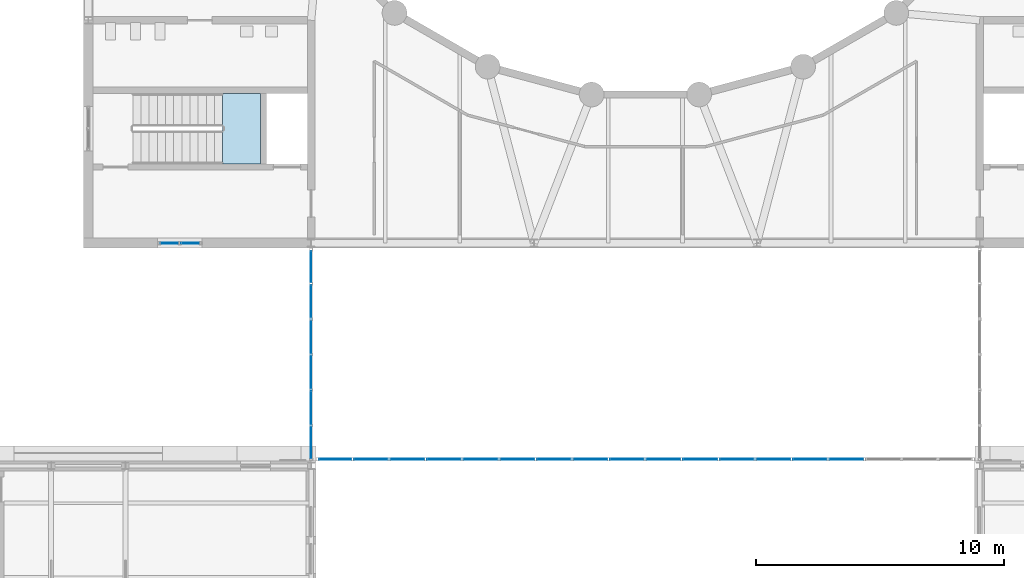
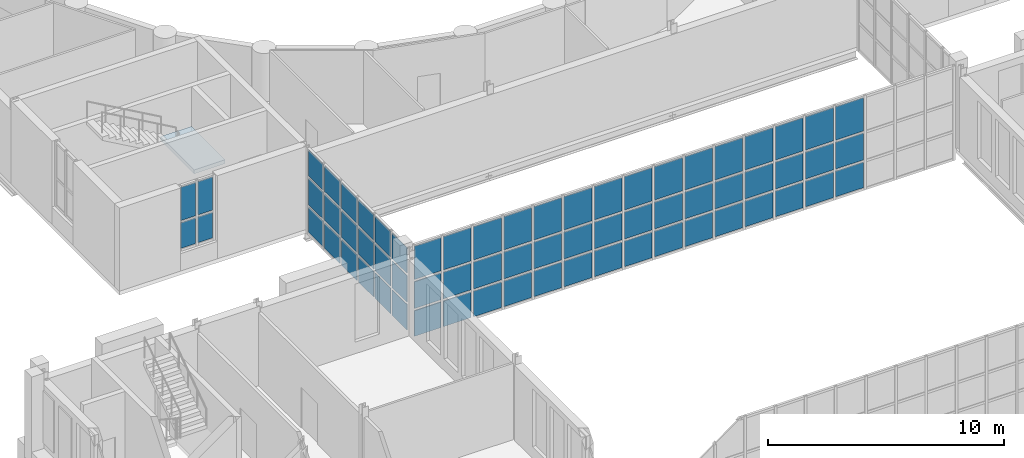
# One storey, part 64 of 134: 67 plates, 1 slab, 4 elements without a shape of their own.
"""IFC4 building model written with IfcOpenShell, lengths in metres."""

from ifc_helpers import new_model, si_unit, direction, frame, origin, origin_2d, place, context, subcontext, project, spatial, polyline, rectangle, outline, extrude, material, layer, layer_set, type_object, element, aggregate, save


model = new_model("IFC4")

# Units and contexts
model_context = context("Model", 3, precision=1e-05, world=origin(), true_north=direction((0.0, 1.0)))
body_context = subcontext(model_context, "Body", "Model", "MODEL_VIEW")
ifc_project = project(units=[si_unit("LENGTHUNIT", "METRE"), si_unit("AREAUNIT", "SQUARE_METRE"), si_unit("VOLUMEUNIT", "CUBIC_METRE"), si_unit("PLANEANGLEUNIT", "RADIAN"), si_unit("MASSUNIT", "GRAM", prefix="KILO")], contexts=[model_context])

# Site, building, storey
site_placement = place(None, origin())
site = spatial("IfcSite", under=ifc_project, at=site_placement, CompositionType="ELEMENT")
building_placement = place(site_placement, origin())
building = spatial("IfcBuilding", under=site, at=building_placement, Name="Golden Quay Civic Hall", CompositionType="ELEMENT")
storey_placement = place(building_placement, frame((0.0, 0.0, 5.39990234375)))
storey = spatial("IfcBuildingStorey", under=building, at=storey_placement, Name="L01", CompositionType="ELEMENT", Elevation=5.39990234375)

# Curtain wall, plates
ifc_material_1 = material(Name="Fire-resisting glass and steel", Category="steel")
curtain_wall_type_1 = type_object("IfcCurtainWallType", Name="Fire-resisting glazed curtain wall EI 120", PredefinedType="NOTDEFINED", material=ifc_material_1)
curtain_wall_1_placement = place(storey_placement, origin())
curtain_wall_1 = element("IfcCurtainWall", 1, at=curtain_wall_1_placement, inside=storey, type_object=curtain_wall_type_1, Name="CW3 curtain wall", PredefinedType="NOTDEFINED")
ifc_material_2 = material(Name="Fire-resisting laminated glass", Category="glass")
ifc_layer_1 = layer(ifc_material_2, 0.0400390625)
ifc_layer_set_1 = layer_set([ifc_layer_1], Name="Fire-resisting glazed panel 40")
plate_type_1 = type_object("IfcPlateType", Name="Fire-resisting glazed panel 40", PredefinedType="CURTAIN_PANEL", material=ifc_layer_set_1)
plate_1_placement = place(storey_placement, frame((72.968994140625, 54.27001953125, -0.47998046875), z_axis=(0.0, 0.0, 1.0), x_axis=(1.0, 0.0, 0.0)))
plate_1 = element("IfcPlate", 2, at=plate_1_placement, type_object=plate_type_1, Name="CW3 panel 1.1", PredefinedType="CURTAIN_PANEL", context=body_context, shape_type="SweptSolid", body=[
    extrude(rectangle(XDim=1.2978515625, YDim=0.0400390625, at=origin_2d()), origin(), (0.0, 0.0, 1.0), 1.320068359375),
])
plate_2_placement = place(storey_placement, frame((72.968994140625, 54.27001953125, 0.960205078125), z_axis=(0.0, 0.0, 1.0), x_axis=(1.0, 0.0, 0.0)))
plate_2 = element("IfcPlate", 3, at=plate_2_placement, type_object=plate_type_1, Name="CW3 panel 1.2", PredefinedType="CURTAIN_PANEL", context=body_context, shape_type="SweptSolid", body=[
    extrude(rectangle(XDim=1.2978515625, YDim=0.0400390625, at=origin_2d()), origin(), (0.0, 0.0, 1.0), 1.3798828125),
])
plate_3_placement = place(storey_placement, frame((72.968994140625, 54.27001953125, 2.4599609375), z_axis=(0.0, 0.0, 1.0), x_axis=(1.0, 0.0, 0.0)))
plate_3 = element("IfcPlate", 4, at=plate_3_placement, type_object=plate_type_1, Name="CW3 panel 1.3", PredefinedType="CURTAIN_PANEL", context=body_context, shape_type="SweptSolid", body=[
    extrude(rectangle(XDim=1.2978515625, YDim=0.0400390625, at=origin_2d()), origin(), (0.0, 0.0, 1.0), 1.719970703125),
])
plate_4_placement = place(storey_placement, frame((74.416748046875, 54.27001953125, -0.47998046875), z_axis=(0.0, 0.0, 1.0), x_axis=(1.0, 0.0, 0.0)))
plate_4 = element("IfcPlate", 5, at=plate_4_placement, type_object=plate_type_1, Name="CW3 panel 2.1", PredefinedType="CURTAIN_PANEL", context=body_context, shape_type="SweptSolid", body=[
    extrude(rectangle(XDim=1.357666015625, YDim=0.0400390625, at=origin_2d()), origin(), (0.0, 0.0, 1.0), 1.320068359375),
])
plate_5_placement = place(storey_placement, frame((74.416748046875, 54.27001953125, 0.960205078125), z_axis=(0.0, 0.0, 1.0), x_axis=(1.0, 0.0, 0.0)))
plate_5 = element("IfcPlate", 6, at=plate_5_placement, type_object=plate_type_1, Name="CW3 panel 2.2", PredefinedType="CURTAIN_PANEL", context=body_context, shape_type="SweptSolid", body=[
    extrude(rectangle(XDim=1.357666015625, YDim=0.0400390625, at=origin_2d()), origin(), (0.0, 0.0, 1.0), 1.3798828125),
])
plate_6_placement = place(storey_placement, frame((74.416748046875, 54.27001953125, 2.4599609375), z_axis=(0.0, 0.0, 1.0), x_axis=(1.0, 0.0, 0.0)))
plate_6 = element("IfcPlate", 7, at=plate_6_placement, type_object=plate_type_1, Name="CW3 panel 2.3", PredefinedType="CURTAIN_PANEL", context=body_context, shape_type="SweptSolid", body=[
    extrude(rectangle(XDim=1.357666015625, YDim=0.0400390625, at=origin_2d()), origin(), (0.0, 0.0, 1.0), 1.719970703125),
])
plate_7_placement = place(storey_placement, frame((75.89453125, 54.27001953125, -0.47998046875), z_axis=(0.0, 0.0, 1.0), x_axis=(1.0, 0.0, 0.0)))
plate_7 = element("IfcPlate", 8, at=plate_7_placement, type_object=plate_type_1, Name="CW3 panel 3.1", PredefinedType="CURTAIN_PANEL", context=body_context, shape_type="SweptSolid", body=[
    extrude(rectangle(XDim=1.357666015625, YDim=0.0400390625, at=origin_2d()), origin(), (0.0, 0.0, 1.0), 1.320068359375),
])
plate_8_placement = place(storey_placement, frame((75.89453125, 54.27001953125, 0.960205078125), z_axis=(0.0, 0.0, 1.0), x_axis=(1.0, 0.0, 0.0)))
plate_8 = element("IfcPlate", 9, at=plate_8_placement, type_object=plate_type_1, Name="CW3 panel 3.2", PredefinedType="CURTAIN_PANEL", context=body_context, shape_type="SweptSolid", body=[
    extrude(rectangle(XDim=1.357666015625, YDim=0.0400390625, at=origin_2d()), origin(), (0.0, 0.0, 1.0), 1.3798828125),
])
plate_9_placement = place(storey_placement, frame((75.89453125, 54.27001953125, 2.4599609375), z_axis=(0.0, 0.0, 1.0), x_axis=(1.0, 0.0, 0.0)))
plate_9 = element("IfcPlate", 10, at=plate_9_placement, type_object=plate_type_1, Name="CW3 panel 3.3", PredefinedType="CURTAIN_PANEL", context=body_context, shape_type="SweptSolid", body=[
    extrude(rectangle(XDim=1.357666015625, YDim=0.0400390625, at=origin_2d()), origin(), (0.0, 0.0, 1.0), 1.719970703125),
])
plate_10_placement = place(storey_placement, frame((77.372314453125, 54.27001953125, -0.47998046875), z_axis=(0.0, 0.0, 1.0), x_axis=(1.0, 0.0, 0.0)))
plate_10 = element("IfcPlate", 11, at=plate_10_placement, type_object=plate_type_1, Name="CW3 panel 4.1", PredefinedType="CURTAIN_PANEL", context=body_context, shape_type="SweptSolid", body=[
    extrude(rectangle(XDim=1.357666015625, YDim=0.0400390625, at=origin_2d()), origin(), (0.0, 0.0, 1.0), 1.320068359375),
])
plate_11_placement = place(storey_placement, frame((77.372314453125, 54.27001953125, 0.960205078125), z_axis=(0.0, 0.0, 1.0), x_axis=(1.0, 0.0, 0.0)))
plate_11 = element("IfcPlate", 12, at=plate_11_placement, type_object=plate_type_1, Name="CW3 panel 4.2", PredefinedType="CURTAIN_PANEL", context=body_context, shape_type="SweptSolid", body=[
    extrude(rectangle(XDim=1.357666015625, YDim=0.0400390625, at=origin_2d()), origin(), (0.0, 0.0, 1.0), 1.3798828125),
])
plate_12_placement = place(storey_placement, frame((77.372314453125, 54.27001953125, 2.4599609375), z_axis=(0.0, 0.0, 1.0), x_axis=(1.0, 0.0, 0.0)))
plate_12 = element("IfcPlate", 13, at=plate_12_placement, type_object=plate_type_1, Name="CW3 panel 4.3", PredefinedType="CURTAIN_PANEL", context=body_context, shape_type="SweptSolid", body=[
    extrude(rectangle(XDim=1.357666015625, YDim=0.0400390625, at=origin_2d()), origin(), (0.0, 0.0, 1.0), 1.719970703125),
])
plate_13_placement = place(storey_placement, frame((78.85009765625, 54.27001953125, -0.47998046875), z_axis=(0.0, 0.0, 1.0), x_axis=(1.0, 0.0, 0.0)))
plate_13 = element("IfcPlate", 14, at=plate_13_placement, type_object=plate_type_1, Name="CW3 panel 5.1", PredefinedType="CURTAIN_PANEL", context=body_context, shape_type="SweptSolid", body=[
    extrude(rectangle(XDim=1.357666015625, YDim=0.0400390625, at=origin_2d()), origin(), (0.0, 0.0, 1.0), 1.320068359375),
])
plate_14_placement = place(storey_placement, frame((78.85009765625, 54.27001953125, 0.960205078125), z_axis=(0.0, 0.0, 1.0), x_axis=(1.0, 0.0, 0.0)))
plate_14 = element("IfcPlate", 15, at=plate_14_placement, type_object=plate_type_1, Name="CW3 panel 5.2", PredefinedType="CURTAIN_PANEL", context=body_context, shape_type="SweptSolid", body=[
    extrude(rectangle(XDim=1.357666015625, YDim=0.0400390625, at=origin_2d()), origin(), (0.0, 0.0, 1.0), 1.3798828125),
])
plate_15_placement = place(storey_placement, frame((78.85009765625, 54.27001953125, 2.4599609375), z_axis=(0.0, 0.0, 1.0), x_axis=(1.0, 0.0, 0.0)))
plate_15 = element("IfcPlate", 16, at=plate_15_placement, type_object=plate_type_1, Name="CW3 panel 5.3", PredefinedType="CURTAIN_PANEL", context=body_context, shape_type="SweptSolid", body=[
    extrude(rectangle(XDim=1.357666015625, YDim=0.0400390625, at=origin_2d()), origin(), (0.0, 0.0, 1.0), 1.719970703125),
])
plate_16_placement = place(storey_placement, frame((80.327880859375, 54.27001953125, -0.47998046875), z_axis=(0.0, 0.0, 1.0), x_axis=(1.0, 0.0, 0.0)))
plate_16 = element("IfcPlate", 17, at=plate_16_placement, type_object=plate_type_1, Name="CW3 panel 6.1", PredefinedType="CURTAIN_PANEL", context=body_context, shape_type="SweptSolid", body=[
    extrude(rectangle(XDim=1.357666015625, YDim=0.0400390625, at=origin_2d()), origin(), (0.0, 0.0, 1.0), 1.320068359375),
])
plate_17_placement = place(storey_placement, frame((80.327880859375, 54.27001953125, 0.960205078125), z_axis=(0.0, 0.0, 1.0), x_axis=(1.0, 0.0, 0.0)))
plate_17 = element("IfcPlate", 18, at=plate_17_placement, type_object=plate_type_1, Name="CW3 panel 6.2", PredefinedType="CURTAIN_PANEL", context=body_context, shape_type="SweptSolid", body=[
    extrude(rectangle(XDim=1.357666015625, YDim=0.0400390625, at=origin_2d()), origin(), (0.0, 0.0, 1.0), 1.3798828125),
])
plate_18_placement = place(storey_placement, frame((80.327880859375, 54.27001953125, 2.4599609375), z_axis=(0.0, 0.0, 1.0), x_axis=(1.0, 0.0, 0.0)))
plate_18 = element("IfcPlate", 19, at=plate_18_placement, type_object=plate_type_1, Name="CW3 panel 6.3", PredefinedType="CURTAIN_PANEL", context=body_context, shape_type="SweptSolid", body=[
    extrude(rectangle(XDim=1.357666015625, YDim=0.0400390625, at=origin_2d()), origin(), (0.0, 0.0, 1.0), 1.719970703125),
])
plate_19_placement = place(storey_placement, frame((81.8056640625, 54.27001953125, -0.47998046875), z_axis=(0.0, 0.0, 1.0), x_axis=(1.0, 0.0, 0.0)))
plate_19 = element("IfcPlate", 20, at=plate_19_placement, type_object=plate_type_1, Name="CW3 panel 7.1", PredefinedType="CURTAIN_PANEL", context=body_context, shape_type="SweptSolid", body=[
    extrude(rectangle(XDim=1.357666015625, YDim=0.0400390625, at=origin_2d()), origin(), (0.0, 0.0, 1.0), 1.320068359375),
])
plate_20_placement = place(storey_placement, frame((81.8056640625, 54.27001953125, 0.960205078125), z_axis=(0.0, 0.0, 1.0), x_axis=(1.0, 0.0, 0.0)))
plate_20 = element("IfcPlate", 21, at=plate_20_placement, type_object=plate_type_1, Name="CW3 panel 7.2", PredefinedType="CURTAIN_PANEL", context=body_context, shape_type="SweptSolid", body=[
    extrude(rectangle(XDim=1.357666015625, YDim=0.0400390625, at=origin_2d()), origin(), (0.0, 0.0, 1.0), 1.3798828125),
])
plate_21_placement = place(storey_placement, frame((81.8056640625, 54.27001953125, 2.4599609375), z_axis=(0.0, 0.0, 1.0), x_axis=(1.0, 0.0, 0.0)))
plate_21 = element("IfcPlate", 22, at=plate_21_placement, type_object=plate_type_1, Name="CW3 panel 7.3", PredefinedType="CURTAIN_PANEL", context=body_context, shape_type="SweptSolid", body=[
    extrude(rectangle(XDim=1.357666015625, YDim=0.0400390625, at=origin_2d()), origin(), (0.0, 0.0, 1.0), 1.719970703125),
])
plate_22_placement = place(storey_placement, frame((83.283447265625, 54.27001953125, -0.47998046875), z_axis=(0.0, 0.0, 1.0), x_axis=(1.0, 0.0, 0.0)))
plate_22 = element("IfcPlate", 23, at=plate_22_placement, type_object=plate_type_1, Name="CW3 panel 8.1", PredefinedType="CURTAIN_PANEL", context=body_context, shape_type="SweptSolid", body=[
    extrude(rectangle(XDim=1.357666015625, YDim=0.0400390625, at=origin_2d()), origin(), (0.0, 0.0, 1.0), 1.320068359375),
])
plate_23_placement = place(storey_placement, frame((83.283447265625, 54.27001953125, 0.960205078125), z_axis=(0.0, 0.0, 1.0), x_axis=(1.0, 0.0, 0.0)))
plate_23 = element("IfcPlate", 24, at=plate_23_placement, type_object=plate_type_1, Name="CW3 panel 8.2", PredefinedType="CURTAIN_PANEL", context=body_context, shape_type="SweptSolid", body=[
    extrude(rectangle(XDim=1.357666015625, YDim=0.0400390625, at=origin_2d()), origin(), (0.0, 0.0, 1.0), 1.3798828125),
])
plate_24_placement = place(storey_placement, frame((83.283447265625, 54.27001953125, 2.4599609375), z_axis=(0.0, 0.0, 1.0), x_axis=(1.0, 0.0, 0.0)))
plate_24 = element("IfcPlate", 25, at=plate_24_placement, type_object=plate_type_1, Name="CW3 panel 8.3", PredefinedType="CURTAIN_PANEL", context=body_context, shape_type="SweptSolid", body=[
    extrude(rectangle(XDim=1.357666015625, YDim=0.0400390625, at=origin_2d()), origin(), (0.0, 0.0, 1.0), 1.719970703125),
])
plate_25_placement = place(storey_placement, frame((84.76123046875, 54.27001953125, -0.47998046875), z_axis=(0.0, 0.0, 1.0), x_axis=(1.0, 0.0, 0.0)))
plate_25 = element("IfcPlate", 26, at=plate_25_placement, type_object=plate_type_1, Name="CW3 panel 9.1", PredefinedType="CURTAIN_PANEL", context=body_context, shape_type="SweptSolid", body=[
    extrude(rectangle(XDim=1.357666015625, YDim=0.0400390625, at=origin_2d()), origin(), (0.0, 0.0, 1.0), 1.320068359375),
])
plate_26_placement = place(storey_placement, frame((84.76123046875, 54.27001953125, 0.960205078125), z_axis=(0.0, 0.0, 1.0), x_axis=(1.0, 0.0, 0.0)))
plate_26 = element("IfcPlate", 27, at=plate_26_placement, type_object=plate_type_1, Name="CW3 panel 9.2", PredefinedType="CURTAIN_PANEL", context=body_context, shape_type="SweptSolid", body=[
    extrude(rectangle(XDim=1.357666015625, YDim=0.0400390625, at=origin_2d()), origin(), (0.0, 0.0, 1.0), 1.3798828125),
])
plate_27_placement = place(storey_placement, frame((84.76123046875, 54.27001953125, 2.4599609375), z_axis=(0.0, 0.0, 1.0), x_axis=(1.0, 0.0, 0.0)))
plate_27 = element("IfcPlate", 28, at=plate_27_placement, type_object=plate_type_1, Name="CW3 panel 9.3", PredefinedType="CURTAIN_PANEL", context=body_context, shape_type="SweptSolid", body=[
    extrude(rectangle(XDim=1.357666015625, YDim=0.0400390625, at=origin_2d()), origin(), (0.0, 0.0, 1.0), 1.719970703125),
])
plate_28_placement = place(storey_placement, frame((86.23876953125, 54.27001953125, -0.47998046875), z_axis=(0.0, 0.0, 1.0), x_axis=(1.0, 0.0, 0.0)))
plate_28 = element("IfcPlate", 29, at=plate_28_placement, type_object=plate_type_1, Name="CW3 panel 10.1", PredefinedType="CURTAIN_PANEL", context=body_context, shape_type="SweptSolid", body=[
    extrude(rectangle(XDim=1.357666015625, YDim=0.0400390625, at=origin_2d()), origin(), (0.0, 0.0, 1.0), 1.320068359375),
])
plate_29_placement = place(storey_placement, frame((86.23876953125, 54.27001953125, 0.960205078125), z_axis=(0.0, 0.0, 1.0), x_axis=(1.0, 0.0, 0.0)))
plate_29 = element("IfcPlate", 30, at=plate_29_placement, type_object=plate_type_1, Name="CW3 panel 10.2", PredefinedType="CURTAIN_PANEL", context=body_context, shape_type="SweptSolid", body=[
    extrude(rectangle(XDim=1.357666015625, YDim=0.0400390625, at=origin_2d()), origin(), (0.0, 0.0, 1.0), 1.3798828125),
])
plate_30_placement = place(storey_placement, frame((86.23876953125, 54.27001953125, 2.4599609375), z_axis=(0.0, 0.0, 1.0), x_axis=(1.0, 0.0, 0.0)))
plate_30 = element("IfcPlate", 31, at=plate_30_placement, type_object=plate_type_1, Name="CW3 panel 10.3", PredefinedType="CURTAIN_PANEL", context=body_context, shape_type="SweptSolid", body=[
    extrude(rectangle(XDim=1.357666015625, YDim=0.0400390625, at=origin_2d()), origin(), (0.0, 0.0, 1.0), 1.719970703125),
])
plate_31_placement = place(storey_placement, frame((87.716552734375, 54.27001953125, -0.47998046875), z_axis=(0.0, 0.0, 1.0), x_axis=(1.0, 0.0, 0.0)))
plate_31 = element("IfcPlate", 32, at=plate_31_placement, type_object=plate_type_1, Name="CW3 panel 11.1", PredefinedType="CURTAIN_PANEL", context=body_context, shape_type="SweptSolid", body=[
    extrude(rectangle(XDim=1.357666015625, YDim=0.0400390625, at=origin_2d()), origin(), (0.0, 0.0, 1.0), 1.320068359375),
])
plate_32_placement = place(storey_placement, frame((87.716552734375, 54.27001953125, 0.960205078125), z_axis=(0.0, 0.0, 1.0), x_axis=(1.0, 0.0, 0.0)))
plate_32 = element("IfcPlate", 33, at=plate_32_placement, type_object=plate_type_1, Name="CW3 panel 11.2", PredefinedType="CURTAIN_PANEL", context=body_context, shape_type="SweptSolid", body=[
    extrude(rectangle(XDim=1.357666015625, YDim=0.0400390625, at=origin_2d()), origin(), (0.0, 0.0, 1.0), 1.3798828125),
])
plate_33_placement = place(storey_placement, frame((87.716552734375, 54.27001953125, 2.4599609375), z_axis=(0.0, 0.0, 1.0), x_axis=(1.0, 0.0, 0.0)))
plate_33 = element("IfcPlate", 34, at=plate_33_placement, type_object=plate_type_1, Name="CW3 panel 11.3", PredefinedType="CURTAIN_PANEL", context=body_context, shape_type="SweptSolid", body=[
    extrude(rectangle(XDim=1.357666015625, YDim=0.0400390625, at=origin_2d()), origin(), (0.0, 0.0, 1.0), 1.719970703125),
])
plate_34_placement = place(storey_placement, frame((89.1943359375, 54.27001953125, -0.47998046875), z_axis=(0.0, 0.0, 1.0), x_axis=(1.0, 0.0, 0.0)))
plate_34 = element("IfcPlate", 35, at=plate_34_placement, type_object=plate_type_1, Name="CW3 panel 12.1", PredefinedType="CURTAIN_PANEL", context=body_context, shape_type="SweptSolid", body=[
    extrude(rectangle(XDim=1.357666015625, YDim=0.0400390625, at=origin_2d()), origin(), (0.0, 0.0, 1.0), 1.320068359375),
])
plate_35_placement = place(storey_placement, frame((89.1943359375, 54.27001953125, 0.960205078125), z_axis=(0.0, 0.0, 1.0), x_axis=(1.0, 0.0, 0.0)))
plate_35 = element("IfcPlate", 36, at=plate_35_placement, type_object=plate_type_1, Name="CW3 panel 12.2", PredefinedType="CURTAIN_PANEL", context=body_context, shape_type="SweptSolid", body=[
    extrude(rectangle(XDim=1.357666015625, YDim=0.0400390625, at=origin_2d()), origin(), (0.0, 0.0, 1.0), 1.3798828125),
])
plate_36_placement = place(storey_placement, frame((89.1943359375, 54.27001953125, 2.4599609375), z_axis=(0.0, 0.0, 1.0), x_axis=(1.0, 0.0, 0.0)))
plate_36 = element("IfcPlate", 37, at=plate_36_placement, type_object=plate_type_1, Name="CW3 panel 12.3", PredefinedType="CURTAIN_PANEL", context=body_context, shape_type="SweptSolid", body=[
    extrude(rectangle(XDim=1.357666015625, YDim=0.0400390625, at=origin_2d()), origin(), (0.0, 0.0, 1.0), 1.719970703125),
])
plate_37_placement = place(storey_placement, frame((90.672119140625, 54.27001953125, -0.47998046875), z_axis=(0.0, 0.0, 1.0), x_axis=(1.0, 0.0, 0.0)))
plate_37 = element("IfcPlate", 38, at=plate_37_placement, type_object=plate_type_1, Name="CW3 panel 13.1", PredefinedType="CURTAIN_PANEL", context=body_context, shape_type="SweptSolid", body=[
    extrude(rectangle(XDim=1.357666015625, YDim=0.0400390625, at=origin_2d()), origin(), (0.0, 0.0, 1.0), 1.320068359375),
])
plate_38_placement = place(storey_placement, frame((90.672119140625, 54.27001953125, 0.960205078125), z_axis=(0.0, 0.0, 1.0), x_axis=(1.0, 0.0, 0.0)))
plate_38 = element("IfcPlate", 39, at=plate_38_placement, type_object=plate_type_1, Name="CW3 panel 13.2", PredefinedType="CURTAIN_PANEL", context=body_context, shape_type="SweptSolid", body=[
    extrude(rectangle(XDim=1.357666015625, YDim=0.0400390625, at=origin_2d()), origin(), (0.0, 0.0, 1.0), 1.3798828125),
])
plate_39_placement = place(storey_placement, frame((90.672119140625, 54.27001953125, 2.4599609375), z_axis=(0.0, 0.0, 1.0), x_axis=(1.0, 0.0, 0.0)))
plate_39 = element("IfcPlate", 40, at=plate_39_placement, type_object=plate_type_1, Name="CW3 panel 13.3", PredefinedType="CURTAIN_PANEL", context=body_context, shape_type="SweptSolid", body=[
    extrude(rectangle(XDim=1.357666015625, YDim=0.0400390625, at=origin_2d()), origin(), (0.0, 0.0, 1.0), 1.719970703125),
])
plate_40_placement = place(storey_placement, frame((92.14990234375, 54.27001953125, -0.47998046875), z_axis=(0.0, 0.0, 1.0), x_axis=(1.0, 0.0, 0.0)))
plate_40 = element("IfcPlate", 41, at=plate_40_placement, type_object=plate_type_1, Name="CW3 panel 14.1", PredefinedType="CURTAIN_PANEL", context=body_context, shape_type="SweptSolid", body=[
    extrude(rectangle(XDim=1.357666015625, YDim=0.0400390625, at=origin_2d()), origin(), (0.0, 0.0, 1.0), 1.320068359375),
])
plate_41_placement = place(storey_placement, frame((92.14990234375, 54.27001953125, 0.960205078125), z_axis=(0.0, 0.0, 1.0), x_axis=(1.0, 0.0, 0.0)))
plate_41 = element("IfcPlate", 42, at=plate_41_placement, type_object=plate_type_1, Name="CW3 panel 14.2", PredefinedType="CURTAIN_PANEL", context=body_context, shape_type="SweptSolid", body=[
    extrude(rectangle(XDim=1.357666015625, YDim=0.0400390625, at=origin_2d()), origin(), (0.0, 0.0, 1.0), 1.3798828125),
])
plate_42_placement = place(storey_placement, frame((92.14990234375, 54.27001953125, 2.4599609375), z_axis=(0.0, 0.0, 1.0), x_axis=(1.0, 0.0, 0.0)))
plate_42 = element("IfcPlate", 43, at=plate_42_placement, type_object=plate_type_1, Name="CW3 panel 14.3", PredefinedType="CURTAIN_PANEL", context=body_context, shape_type="SweptSolid", body=[
    extrude(rectangle(XDim=1.357666015625, YDim=0.0400390625, at=origin_2d()), origin(), (0.0, 0.0, 1.0), 1.719970703125),
])
plate_43_placement = place(storey_placement, frame((93.627685546875, 54.27001953125, -0.47998046875), z_axis=(0.0, 0.0, 1.0), x_axis=(1.0, 0.0, 0.0)))
plate_43 = element("IfcPlate", 44, at=plate_43_placement, type_object=plate_type_1, Name="CW3 panel 15.1", PredefinedType="CURTAIN_PANEL", context=body_context, shape_type="SweptSolid", body=[
    extrude(rectangle(XDim=1.357666015625, YDim=0.0400390625, at=origin_2d()), origin(), (0.0, 0.0, 1.0), 1.320068359375),
])
plate_44_placement = place(storey_placement, frame((93.627685546875, 54.27001953125, 0.960205078125), z_axis=(0.0, 0.0, 1.0), x_axis=(1.0, 0.0, 0.0)))
plate_44 = element("IfcPlate", 45, at=plate_44_placement, type_object=plate_type_1, Name="CW3 panel 15.2", PredefinedType="CURTAIN_PANEL", context=body_context, shape_type="SweptSolid", body=[
    extrude(rectangle(XDim=1.357666015625, YDim=0.0400390625, at=origin_2d()), origin(), (0.0, 0.0, 1.0), 1.3798828125),
])
plate_45_placement = place(storey_placement, frame((93.627685546875, 54.27001953125, 2.4599609375), z_axis=(0.0, 0.0, 1.0), x_axis=(1.0, 0.0, 0.0)))
plate_45 = element("IfcPlate", 46, at=plate_45_placement, type_object=plate_type_1, Name="CW3 panel 15.3", PredefinedType="CURTAIN_PANEL", context=body_context, shape_type="SweptSolid", body=[
    extrude(rectangle(XDim=1.357666015625, YDim=0.0400390625, at=origin_2d()), origin(), (0.0, 0.0, 1.0), 1.719970703125),
])
aggregate(curtain_wall_1, [plate_1, plate_2, plate_3, plate_4, plate_5, plate_6, plate_7, plate_8, plate_9, plate_10, plate_11, plate_12, plate_13, plate_14, plate_15, plate_16, plate_17, plate_18, plate_19, plate_20, plate_21, plate_22, plate_23, plate_24, plate_25, plate_26, plate_27, plate_28, plate_29, plate_30, plate_31, plate_32, plate_33, plate_34, plate_35, plate_36, plate_37, plate_38, plate_39, plate_40, plate_41, plate_42, plate_43, plate_44, plate_45])

ifc_material_3 = material(Name="Fire-resisting glass and steel", Category="steel")
curtain_wall_type_2 = type_object("IfcCurtainWallType", Name="Fire-resisting glazed stair curtain wall EI 120", PredefinedType="NOTDEFINED", material=ifc_material_3)
curtain_wall_2_placement = place(storey_placement, origin())
curtain_wall_2 = element("IfcCurtainWall", 47, at=curtain_wall_2_placement, inside=storey, type_object=curtain_wall_type_2, Name="CW4 stair curtain wall", PredefinedType="NOTDEFINED")
ifc_material_4 = material(Name="Fire-resisting laminated glass", Category="glass")
ifc_layer_2 = layer(ifc_material_4, 0.0400390625)
ifc_layer_set_2 = layer_set([ifc_layer_2], Name="Fire-resisting glazed stair panel 40")
plate_type_2 = type_object("IfcPlateType", Name="Fire-resisting glazed stair panel 40", PredefinedType="CURTAIN_PANEL", material=ifc_layer_set_2)
plate_46_placement = place(storey_placement, frame((66.280029296875, 63.0, 1.02001953125), z_axis=(0.0, 0.0, 1.0), x_axis=(1.0, 0.0, 0.0)))
plate_46 = element("IfcPlate", 48, at=plate_46_placement, type_object=plate_type_2, Name="CW4 panel 1.1", PredefinedType="CURTAIN_PANEL", context=body_context, shape_type="SweptSolid", body=[
    extrude(rectangle(XDim=0.719970703125, YDim=0.0400390625, at=origin_2d()), origin(), (0.0, 0.0, 1.0), 1.320068359375),
])
plate_47_placement = place(storey_placement, frame((66.280029296875, 63.0, 2.4599609375), z_axis=(0.0, 0.0, 1.0), x_axis=(1.0, 0.0, 0.0)))
plate_47 = element("IfcPlate", 49, at=plate_47_placement, type_object=plate_type_2, Name="CW4 panel 1.2", PredefinedType="CURTAIN_PANEL", context=body_context, shape_type="SweptSolid", body=[
    extrude(rectangle(XDim=0.719970703125, YDim=0.0400390625, at=origin_2d()), origin(), (0.0, 0.0, 1.0), 1.719970703125),
])
plate_48_placement = place(storey_placement, frame((67.1201171875, 63.0, 1.02001953125), z_axis=(0.0, 0.0, 1.0), x_axis=(1.0, 0.0, 0.0)))
plate_48 = element("IfcPlate", 50, at=plate_48_placement, type_object=plate_type_2, Name="CW4 panel 2.1", PredefinedType="CURTAIN_PANEL", context=body_context, shape_type="SweptSolid", body=[
    extrude(rectangle(XDim=0.719970703125, YDim=0.0400390625, at=origin_2d()), origin(), (0.0, 0.0, 1.0), 1.320068359375),
])
plate_49_placement = place(storey_placement, frame((67.1201171875, 63.0, 2.4599609375), z_axis=(0.0, 0.0, 1.0), x_axis=(1.0, 0.0, 0.0)))
plate_49 = element("IfcPlate", 51, at=plate_49_placement, type_object=plate_type_2, Name="CW4 panel 2.2", PredefinedType="CURTAIN_PANEL", context=body_context, shape_type="SweptSolid", body=[
    extrude(rectangle(XDim=0.719970703125, YDim=0.0400390625, at=origin_2d()), origin(), (0.0, 0.0, 1.0), 1.719970703125),
])
aggregate(curtain_wall_2, [plate_46, plate_47, plate_48, plate_49])

ifc_material_5 = material(Name="Glass and aluminium", Category="aluminium")
curtain_wall_type_3 = type_object("IfcCurtainWallType", Name="Glazed curtain wall 1500 module", PredefinedType="NOTDEFINED", material=ifc_material_5)
curtain_wall_3_placement = place(storey_placement, origin())
curtain_wall_3 = element("IfcCurtainWall", 52, at=curtain_wall_3_placement, inside=storey, type_object=curtain_wall_type_3, Name="CW1 curtain wall", PredefinedType="NOTDEFINED")
ifc_material_6 = material(Name="Laminated glass", Category="glass")
ifc_layer_3 = layer(ifc_material_6, 0.028076171875)
ifc_layer_set_3 = layer_set([ifc_layer_3], Name="Laminated glass panel 28")
plate_type_3 = type_object("IfcPlateType", Name="Laminated glass panel 28", PredefinedType="CURTAIN_PANEL", material=ifc_layer_set_3)
plate_50_placement = place(storey_placement, frame((72.0, 54.94677734375, -0.080078125), z_axis=(0.0, 0.0, 1.0), x_axis=(0.0, 1.0, 0.0)))
plate_50 = element("IfcPlate", 53, at=plate_50_placement, type_object=plate_type_3, Name="CW1 panel 1.1", PredefinedType="CURTAIN_PANEL", context=body_context, shape_type="SweptSolid", body=[
    extrude(rectangle(XDim=1.25341796875, YDim=0.028076171875, at=origin_2d()), origin(), (0.0, 0.0, 1.0), 1.320068359375),
])
plate_51_placement = place(storey_placement, frame((72.0, 54.94677734375, 1.360107421875), z_axis=(0.0, 0.0, 1.0), x_axis=(0.0, 1.0, 0.0)))
plate_51 = element("IfcPlate", 54, at=plate_51_placement, type_object=plate_type_3, Name="CW1 panel 1.2", PredefinedType="CURTAIN_PANEL", context=body_context, shape_type="SweptSolid", body=[
    extrude(rectangle(XDim=1.25341796875, YDim=0.028076171875, at=origin_2d()), origin(), (0.0, 0.0, 1.0), 1.3798828125),
])
plate_52_placement = place(storey_placement, frame((72.0, 54.94677734375, 2.85986328125), z_axis=(0.0, 0.0, 1.0), x_axis=(0.0, 1.0, 0.0)))
plate_52 = element("IfcPlate", 55, at=plate_52_placement, type_object=plate_type_3, Name="CW1 panel 1.3", PredefinedType="CURTAIN_PANEL", context=body_context, shape_type="SweptSolid", body=[
    extrude(rectangle(XDim=1.25341796875, YDim=0.028076171875, at=origin_2d()), origin(), (0.0, 0.0, 1.0), 1.320068359375),
])
plate_53_placement = place(storey_placement, frame((72.0, 56.35009765625, -0.080078125), z_axis=(0.0, 0.0, 1.0), x_axis=(0.0, 1.0, 0.0)))
plate_53 = element("IfcPlate", 56, at=plate_53_placement, type_object=plate_type_3, Name="CW1 panel 2.1", PredefinedType="CURTAIN_PANEL", context=body_context, shape_type="SweptSolid", body=[
    extrude(rectangle(XDim=1.313232421875, YDim=0.028076171875, at=origin_2d()), origin(), (0.0, 0.0, 1.0), 1.320068359375),
])
plate_54_placement = place(storey_placement, frame((72.0, 56.35009765625, 1.360107421875), z_axis=(0.0, 0.0, 1.0), x_axis=(0.0, 1.0, 0.0)))
plate_54 = element("IfcPlate", 57, at=plate_54_placement, type_object=plate_type_3, Name="CW1 panel 2.2", PredefinedType="CURTAIN_PANEL", context=body_context, shape_type="SweptSolid", body=[
    extrude(rectangle(XDim=1.313232421875, YDim=0.028076171875, at=origin_2d()), origin(), (0.0, 0.0, 1.0), 1.3798828125),
])
plate_55_placement = place(storey_placement, frame((72.0, 56.35009765625, 2.85986328125), z_axis=(0.0, 0.0, 1.0), x_axis=(0.0, 1.0, 0.0)))
plate_55 = element("IfcPlate", 58, at=plate_55_placement, type_object=plate_type_3, Name="CW1 panel 2.3", PredefinedType="CURTAIN_PANEL", context=body_context, shape_type="SweptSolid", body=[
    extrude(rectangle(XDim=1.313232421875, YDim=0.028076171875, at=origin_2d()), origin(), (0.0, 0.0, 1.0), 1.320068359375),
])
plate_56_placement = place(storey_placement, frame((72.0, 57.783447265625, -0.080078125), z_axis=(0.0, 0.0, 1.0), x_axis=(0.0, 1.0, 0.0)))
plate_56 = element("IfcPlate", 59, at=plate_56_placement, type_object=plate_type_3, Name="CW1 panel 3.1", PredefinedType="CURTAIN_PANEL", context=body_context, shape_type="SweptSolid", body=[
    extrude(rectangle(XDim=1.313232421875, YDim=0.028076171875, at=origin_2d()), origin(), (0.0, 0.0, 1.0), 1.320068359375),
])
plate_57_placement = place(storey_placement, frame((72.0, 57.783447265625, 1.360107421875), z_axis=(0.0, 0.0, 1.0), x_axis=(0.0, 1.0, 0.0)))
plate_57 = element("IfcPlate", 60, at=plate_57_placement, type_object=plate_type_3, Name="CW1 panel 3.2", PredefinedType="CURTAIN_PANEL", context=body_context, shape_type="SweptSolid", body=[
    extrude(rectangle(XDim=1.313232421875, YDim=0.028076171875, at=origin_2d()), origin(), (0.0, 0.0, 1.0), 1.3798828125),
])
plate_58_placement = place(storey_placement, frame((72.0, 57.783447265625, 2.85986328125), z_axis=(0.0, 0.0, 1.0), x_axis=(0.0, 1.0, 0.0)))
plate_58 = element("IfcPlate", 61, at=plate_58_placement, type_object=plate_type_3, Name="CW1 panel 3.3", PredefinedType="CURTAIN_PANEL", context=body_context, shape_type="SweptSolid", body=[
    extrude(rectangle(XDim=1.313232421875, YDim=0.028076171875, at=origin_2d()), origin(), (0.0, 0.0, 1.0), 1.320068359375),
])
plate_59_placement = place(storey_placement, frame((72.0, 59.216552734375, -0.080078125), z_axis=(0.0, 0.0, 1.0), x_axis=(0.0, 1.0, 0.0)))
plate_59 = element("IfcPlate", 62, at=plate_59_placement, type_object=plate_type_3, Name="CW1 panel 4.1", PredefinedType="CURTAIN_PANEL", context=body_context, shape_type="SweptSolid", body=[
    extrude(rectangle(XDim=1.313232421875, YDim=0.028076171875, at=origin_2d()), origin(), (0.0, 0.0, 1.0), 1.320068359375),
])
plate_60_placement = place(storey_placement, frame((72.0, 59.216552734375, 1.360107421875), z_axis=(0.0, 0.0, 1.0), x_axis=(0.0, 1.0, 0.0)))
plate_60 = element("IfcPlate", 63, at=plate_60_placement, type_object=plate_type_3, Name="CW1 panel 4.2", PredefinedType="CURTAIN_PANEL", context=body_context, shape_type="SweptSolid", body=[
    extrude(rectangle(XDim=1.313232421875, YDim=0.028076171875, at=origin_2d()), origin(), (0.0, 0.0, 1.0), 1.3798828125),
])
plate_61_placement = place(storey_placement, frame((72.0, 59.216552734375, 2.85986328125), z_axis=(0.0, 0.0, 1.0), x_axis=(0.0, 1.0, 0.0)))
plate_61 = element("IfcPlate", 64, at=plate_61_placement, type_object=plate_type_3, Name="CW1 panel 4.3", PredefinedType="CURTAIN_PANEL", context=body_context, shape_type="SweptSolid", body=[
    extrude(rectangle(XDim=1.313232421875, YDim=0.028076171875, at=origin_2d()), origin(), (0.0, 0.0, 1.0), 1.320068359375),
])
plate_62_placement = place(storey_placement, frame((72.0, 60.64990234375, -0.080078125), z_axis=(0.0, 0.0, 1.0), x_axis=(0.0, 1.0, 0.0)))
plate_62 = element("IfcPlate", 65, at=plate_62_placement, type_object=plate_type_3, Name="CW1 panel 5.1", PredefinedType="CURTAIN_PANEL", context=body_context, shape_type="SweptSolid", body=[
    extrude(rectangle(XDim=1.313232421875, YDim=0.028076171875, at=origin_2d()), origin(), (0.0, 0.0, 1.0), 1.320068359375),
])
plate_63_placement = place(storey_placement, frame((72.0, 60.64990234375, 1.360107421875), z_axis=(0.0, 0.0, 1.0), x_axis=(0.0, 1.0, 0.0)))
plate_63 = element("IfcPlate", 66, at=plate_63_placement, type_object=plate_type_3, Name="CW1 panel 5.2", PredefinedType="CURTAIN_PANEL", context=body_context, shape_type="SweptSolid", body=[
    extrude(rectangle(XDim=1.313232421875, YDim=0.028076171875, at=origin_2d()), origin(), (0.0, 0.0, 1.0), 1.3798828125),
])
plate_64_placement = place(storey_placement, frame((72.0, 60.64990234375, 2.85986328125), z_axis=(0.0, 0.0, 1.0), x_axis=(0.0, 1.0, 0.0)))
plate_64 = element("IfcPlate", 67, at=plate_64_placement, type_object=plate_type_3, Name="CW1 panel 5.3", PredefinedType="CURTAIN_PANEL", context=body_context, shape_type="SweptSolid", body=[
    extrude(rectangle(XDim=1.313232421875, YDim=0.028076171875, at=origin_2d()), origin(), (0.0, 0.0, 1.0), 1.320068359375),
])
plate_65_placement = place(storey_placement, frame((72.0, 62.05322265625, -0.080078125), z_axis=(0.0, 0.0, 1.0), x_axis=(0.0, 1.0, 0.0)))
plate_65 = element("IfcPlate", 68, at=plate_65_placement, type_object=plate_type_3, Name="CW1 panel 6.1", PredefinedType="CURTAIN_PANEL", context=body_context, shape_type="SweptSolid", body=[
    extrude(rectangle(XDim=1.25341796875, YDim=0.028076171875, at=origin_2d()), origin(), (0.0, 0.0, 1.0), 1.320068359375),
])
plate_66_placement = place(storey_placement, frame((72.0, 62.05322265625, 1.360107421875), z_axis=(0.0, 0.0, 1.0), x_axis=(0.0, 1.0, 0.0)))
plate_66 = element("IfcPlate", 69, at=plate_66_placement, type_object=plate_type_3, Name="CW1 panel 6.2", PredefinedType="CURTAIN_PANEL", context=body_context, shape_type="SweptSolid", body=[
    extrude(rectangle(XDim=1.25341796875, YDim=0.028076171875, at=origin_2d()), origin(), (0.0, 0.0, 1.0), 1.3798828125),
])
plate_67_placement = place(storey_placement, frame((72.0, 62.05322265625, 2.85986328125), z_axis=(0.0, 0.0, 1.0), x_axis=(0.0, 1.0, 0.0)))
plate_67 = element("IfcPlate", 70, at=plate_67_placement, type_object=plate_type_3, Name="CW1 panel 6.3", PredefinedType="CURTAIN_PANEL", context=body_context, shape_type="SweptSolid", body=[
    extrude(rectangle(XDim=1.25341796875, YDim=0.028076171875, at=origin_2d()), origin(), (0.0, 0.0, 1.0), 1.320068359375),
])
aggregate(curtain_wall_3, [plate_50, plate_51, plate_52, plate_53, plate_54, plate_55, plate_56, plate_57, plate_58, plate_59, plate_60, plate_61, plate_62, plate_63, plate_64, plate_65, plate_66, plate_67])

# Stair, slab
ifc_material_7 = material(Name="Concrete C35/45", Category="concrete")
stair_type = type_object("IfcStairType", Name="Reinforced concrete stair 1350", PredefinedType="HALF_TURN_STAIR", material=ifc_material_7)
stair_placement = place(storey_placement, origin())
stair = element("IfcStair", 71, at=stair_placement, inside=storey, type_object=stair_type, Name="L01 Core stair SW", PredefinedType="HALF_TURN_STAIR")
ifc_material_8 = material(Name="Concrete C35/45", Category="concrete")
ifc_layer_4 = layer(ifc_material_8, 0.199951171875)
ifc_layer_set_4 = layer_set([ifc_layer_4], Name="Reinforced concrete stair landing 200, Concrete C35/45")
slab_type = type_object("IfcSlabType", Name="Reinforced concrete stair landing 200", PredefinedType="LANDING", material=ifc_layer_set_4)
slab_placement = place(storey_placement, frame((0.0, 0.0, 2.050048828125)))
slab = element("IfcSlab", 72, at=slab_placement, type_object=slab_type, Name="CB-SW landing 1", PredefinedType="LANDING", context=body_context, shape_type="SweptSolid", body=[
    extrude(outline(polyline([(68.429931640625, 66.199951171875), (69.949951171875, 66.199951171875), (69.949951171875, 69.050048828125), (68.429931640625, 69.050048828125), (68.429931640625, 66.199951171875)])), origin(), (0.0, 0.0, 1.0), 0.199951171875),
])
aggregate(stair, [slab])

save(model, "model.ifc")
